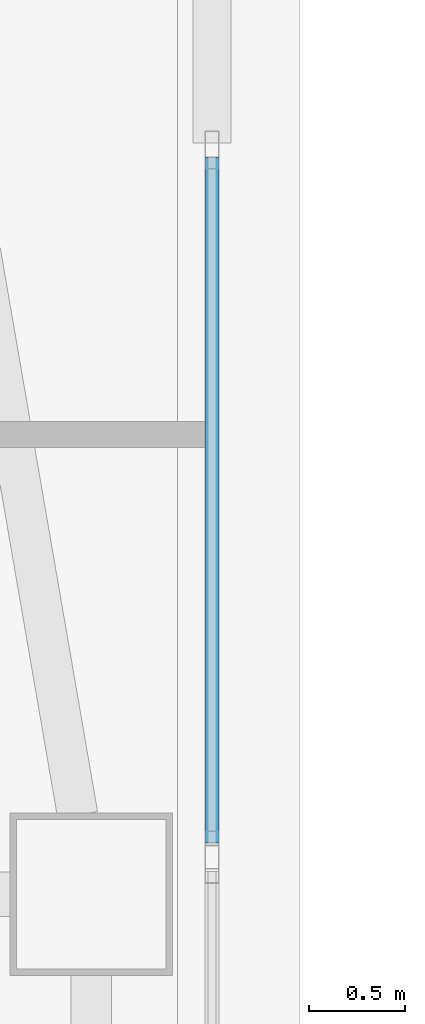
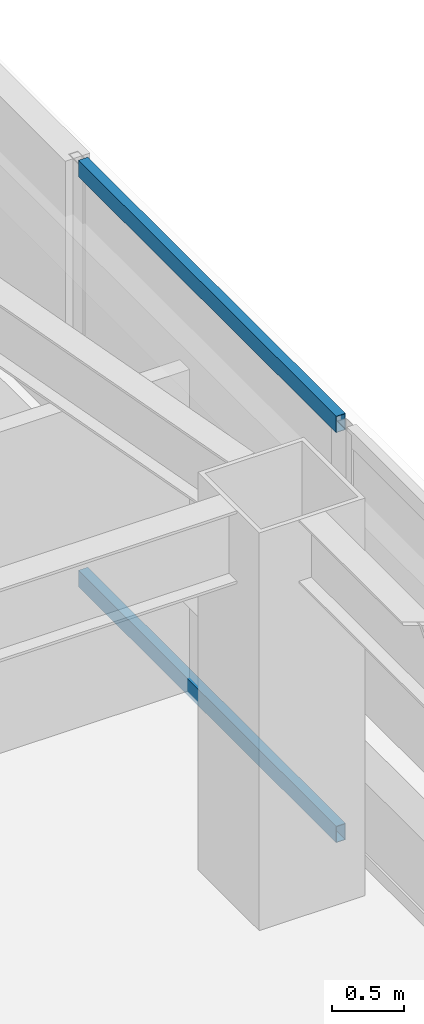
# One storey, part 11 of 41: 2 members, 1 element without a shape of its own.
"""IFC4 building model written with IfcOpenShell, lengths in metres."""

from ifc_helpers import new_model, si_unit, direction, frame, origin, origin_2d, place, context, subcontext, project, spatial, hollow_rectangle, extrude, material, material_profile, profile_set, type_object, element, aggregate, save


model = new_model("IFC4")

# Units and contexts
model_context = context("Model", 3, precision=1e-05, world=origin(), true_north=direction((0.0, 1.0)))
body_context = subcontext(model_context, "Body", "Model", "MODEL_VIEW")
ifc_project = project(units=[si_unit("LENGTHUNIT", "METRE"), si_unit("AREAUNIT", "SQUARE_METRE"), si_unit("VOLUMEUNIT", "CUBIC_METRE"), si_unit("PLANEANGLEUNIT", "RADIAN"), si_unit("MASSUNIT", "GRAM", prefix="KILO")], contexts=[model_context])

# Site, building, storey
site_placement = place(None, origin())
site = spatial("IfcSite", under=ifc_project, at=site_placement, CompositionType="ELEMENT")
building_placement = place(site_placement, origin())
building = spatial("IfcBuilding", under=site, at=building_placement, Name="Tashvorn Skyway Center", CompositionType="ELEMENT")
storey_placement = place(building_placement, frame((0.0, 0.0, 146.35009765625)))
storey = spatial("IfcBuildingStorey", under=building, at=storey_placement, Name="L39", CompositionType="ELEMENT", Elevation=146.35009765625)

# Curtain wall, members
ifc_material = material(Name="Thermally broken bronze-anodized aluminium 6063-T6", Category="aluminium")
curtain_wall_type = type_object("IfcCurtainWallType", Name="CW-CW-Z3", PredefinedType="NOTDEFINED", material=ifc_material)
curtain_wall_placement = place(storey_placement, origin())
curtain_wall = element("IfcCurtainWall", 1, at=curtain_wall_placement, inside=storey, type_object=curtain_wall_type, Name="Tower 1 L39 East Unitised Curtain Wall Glazing Group 1", PredefinedType="NOTDEFINED")
ifc_material_profile = material_profile(ifc_material, hollow_rectangle(XDim=0.074951171875, YDim=0.139892578125, WallThickness=0.004150390625, at=origin_2d()), Name="ALU-TRAN-75x140")
ifc_profile_set = profile_set([ifc_material_profile], Name="Thermally broken bronze-anodized aluminium 6063-T6")
member_type = type_object("IfcMemberType", Name="CWT-CW-Z3", PredefinedType="USERDEFINED", material=ifc_profile_set)
member_1_placement = place(storey_placement, frame((61.280029296875, 41.247314453125, 0.037353515625), z_axis=(0.0, -1.0, 0.0), x_axis=(1.0, 0.0, 0.0)))
member_1 = element("IfcMember", 2, at=member_1_placement, type_object=member_type, Name="CW-Z3 transom 1.1", ObjectType="TRANSOM", PredefinedType="USERDEFINED", context=body_context, shape_type="SweptSolid", body=[
    extrude(hollow_rectangle(XDim=0.074951171875, YDim=0.139892578125, WallThickness=0.004150390625, at=origin_2d()), origin(), (0.0, 0.0, 1.0), 3.5791015625),
])
member_2_placement = place(storey_placement, frame((61.280029296875, 41.247314453125, 3.512451171875), z_axis=(0.0, -1.0, 0.0), x_axis=(1.0, 0.0, 0.0)))
member_2 = element("IfcMember", 3, at=member_2_placement, type_object=member_type, Name="CW-Z3 transom 1.2", ObjectType="TRANSOM", PredefinedType="USERDEFINED", context=body_context, shape_type="SweptSolid", body=[
    extrude(hollow_rectangle(XDim=0.074951171875, YDim=0.139892578125, WallThickness=0.004150390625, at=origin_2d()), origin(), (0.0, 0.0, 1.0), 3.5791015625),
])
aggregate(curtain_wall, [member_1, member_2])

save(model, "model.ifc")
